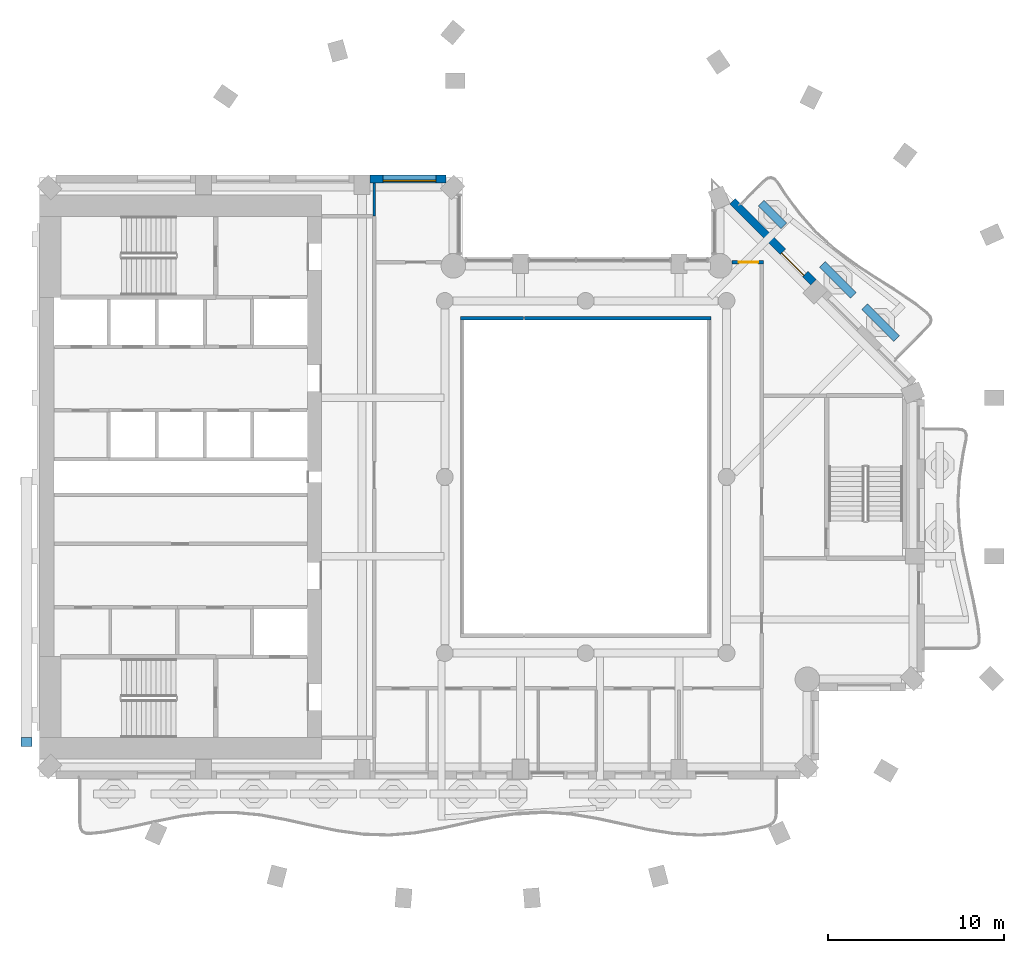
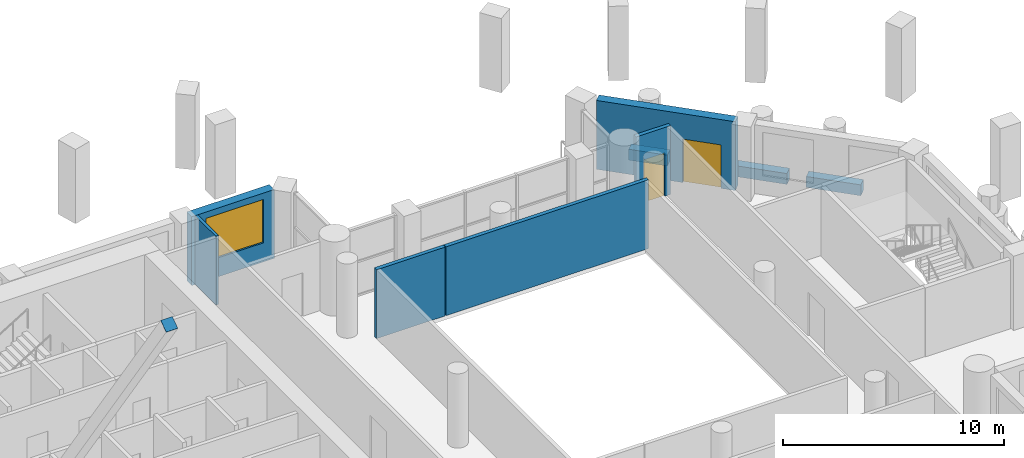
# One storey, part 7 of 16: 9 walls, 2 doors, 1 discrete accessory, 1 window, 3 openings.
"""IFC4 building model written with IfcOpenShell, lengths in metres."""

from ifc_helpers import new_model, si_unit, direction, frame, frame_2d, origin, origin_2d, place, context, subcontext, project, spatial, rectangle, extrude, material, layer, layer_set, material_profile, profile_set, type_object, element, fill, save


model = new_model("IFC4")

# Units and contexts
model_context = context("Model", 3, precision=1e-05, world=origin(), true_north=direction((0.0, 1.0)))
body_context = subcontext(model_context, "Body", "Model", "MODEL_VIEW")
ifc_project = project(units=[si_unit("LENGTHUNIT", "METRE"), si_unit("AREAUNIT", "SQUARE_METRE"), si_unit("VOLUMEUNIT", "CUBIC_METRE"), si_unit("PLANEANGLEUNIT", "RADIAN"), si_unit("MASSUNIT", "GRAM", prefix="KILO")], contexts=[model_context])

# Site, building, storey
site_placement = place(None, origin())
site = spatial("IfcSite", under=ifc_project, at=site_placement, CompositionType="ELEMENT")
building_placement = place(site_placement, origin())
building = spatial("IfcBuilding", under=site, at=building_placement, Name="Cypress Arch Tower", CompositionType="ELEMENT")
storey_placement = place(building_placement, frame((0.0, 0.0, 172.800048828125)))
storey = spatial("IfcBuildingStorey", under=building, at=storey_placement, Name="L37", CompositionType="ELEMENT", Elevation=172.800048828125)

# Walls
ifc_material_1 = material(Name="Concrete C40/50, waterproofed", Category="concrete")
ifc_layer_1 = layer(ifc_material_1, 0.449951171875)
ifc_layer_set_1 = layer_set([ifc_layer_1], Name="Balcony planter wall PW450")
wall_type_1 = type_object("IfcWallType", Name="Balcony planter wall PW450", PredefinedType="SOLIDWALL", material=ifc_layer_set_1)
wall_1_placement = place(storey_placement, frame((18.650390625, 7.86376953125, 0.0), z_axis=(0.0, 0.0, 1.0), x_axis=(-0.707059037574, 0.707154521576, 0.0)))
element("IfcWall", 1, at=wall_1_placement, inside=storey, type_object=wall_type_1, Name="Balcony planter wall L37-B05.1", PredefinedType="SOLIDWALL", context=body_context, shape_type="SweptSolid", body=[
    extrude(rectangle(XDim=2.556884765625, YDim=0.449951171875, at=frame_2d((1.2783203125, 0.0))), origin(), (0.0, 0.0, 1.0), 0.599853515625),
])
wall_2_placement = place(storey_placement, frame((16.2060546875, 10.30810546875, 0.0), z_axis=(0.0, 0.0, 1.0), x_axis=(-0.707057827829, 0.707155731156, 0.0)))
element("IfcWall", 2, at=wall_2_placement, inside=storey, type_object=wall_type_1, Name="Balcony planter wall L37-B05.2", PredefinedType="SOLIDWALL", context=body_context, shape_type="SweptSolid", body=[
    extrude(rectangle(XDim=2.49365234375, YDim=0.449951171875, at=frame_2d((1.246826171875, 0.0))), origin(), (0.0, 0.0, 1.0), 0.599853515625),
])
wall_3_placement = place(storey_placement, frame((12.250732421875, 14.263427734375, 0.0), z_axis=(0.0, 0.0, 1.0), x_axis=(-0.707039709166, 0.707173846846, 0.0)))
element("IfcWall", 3, at=wall_3_placement, inside=storey, type_object=wall_type_1, Name="Balcony planter wall L37-B05.3", PredefinedType="SOLIDWALL", context=body_context, shape_type="SweptSolid", body=[
    extrude(rectangle(XDim=1.820068359375, YDim=0.449951171875, at=frame_2d((0.91015625, 0.0))), origin(), (0.0, 0.0, 1.0), 0.599853515625),
])

# Wall, opening, door
ifc_material_2 = material(Name="Brick (red buff blend)", Category="masonry")
ifc_layer_2 = layer(ifc_material_2, 0.449951171875)
ifc_layer_set_2 = layer_set([ifc_layer_2], Name="Brick pier and spandrel wall BW450")
wall_type_2 = type_object("IfcWallType", Name="Brick pier and spandrel wall BW450", PredefinedType="SOLIDWALL", material=ifc_layer_set_2)
wall_4_placement = place(storey_placement, frame((13.94091796875, 11.052978515625, 0.0), z_axis=(0.0, 0.0, 1.0), x_axis=(-0.707106781187, 0.707106781187, 0.0)))
wall_4 = element("IfcWall", 4, at=wall_4_placement, inside=storey, type_object=wall_type_2, Name="Brick wall L37 B05.1", PredefinedType="SOLIDWALL", context=body_context, shape_type="SweptSolid", body=[
    extrude(rectangle(XDim=6.505126953125, YDim=0.449951171875, at=frame_2d((3.25244140625, 0.0))), origin(), (0.0, 0.0, 1.0), 3.800048828125),
])
opening_1_placement = place(wall_4_placement, frame((0.665283203125, 0.0, 0.0)))
opening_1 = element("IfcOpeningElement", 5, at=opening_1_placement, cuts=wall_4, Name="Opening D-L37-B05.1.1", PredefinedType="OPENING", context=body_context, shape_type="SweptSolid", body=[
    extrude(rectangle(XDim=1.800048828125, YDim=2.39990234375, at=frame_2d((0.89990234375, 1.199951171875))), frame((0.0, 0.23486328125, 0.0), z_axis=(0.0, -1.0, 0.0), x_axis=(1.0, 0.0, 0.0)), (0.0, 0.0, 1.0), 0.469970703125),
])
ifc_material_3 = material(Name="Anodised aluminium, bronze finish, laminated low-emissivity double glazing, large-missile impact rated", Category="aluminium")
door_type_1 = type_object("IfcDoorType", Name="Balcony sliding door 1800x2400", OperationType="SLIDING_TO_LEFT", PredefinedType="DOOR", material=ifc_material_3)
door_1_placement = place(opening_1_placement, origin())
door_1 = element("IfcDoor", 6, at=door_1_placement, inside=storey, type_object=door_type_1, Name="Balcony door L37 B05.1.1", OperationType="SLIDING_TO_LEFT", OverallHeight=2.39990234375, OverallWidth=1.800048828125, PredefinedType="DOOR", context=body_context, shape_type="SweptSolid", body=[
    extrude(rectangle(XDim=1.800048828125, YDim=2.39990234375, at=frame_2d((0.89990234375, 1.199951171875))), frame((0.0, 0.1298828125, 0.0), z_axis=(0.0, -1.0, 0.0), x_axis=(1.0, 0.0, 0.0)), (0.0, 0.0, 1.0), 0.050048828125),
])
fill(opening_1, door_1)

# Wall, opening, window
wall_5_placement = place(storey_placement, frame((-6.936279296875, 16.925048828125, 0.0), z_axis=(0.0, 0.0, 1.0), x_axis=(-1.0, 0.0, 0.0)))
wall_5 = element("IfcWall", 7, at=wall_5_placement, inside=storey, type_object=wall_type_2, Name="Brick wall L37 B09.0", PredefinedType="SOLIDWALL", context=body_context, shape_type="SweptSolid", body=[
    extrude(rectangle(XDim=4.313720703125, YDim=0.449951171875, at=frame_2d((2.15673828125, 0.0))), origin(), (0.0, 0.0, 1.0), 3.800048828125),
])
opening_2_placement = place(wall_5_placement, frame((0.563720703125, 0.0, 1.050048828125)))
opening_2 = element("IfcOpeningElement", 8, at=opening_2_placement, cuts=wall_5, Name="Opening W300O", PredefinedType="OPENING", context=body_context, shape_type="SweptSolid", body=[
    extrude(rectangle(XDim=3.0, YDim=2.39990234375, at=frame_2d((1.5, 1.199951171875))), frame((0.0, 0.23486328125, 0.0), z_axis=(0.0, -1.0, 0.0), x_axis=(1.0, 0.0, 0.0)), (0.0, 0.0, 1.0), 0.469970703125),
])
ifc_material_4 = material(Name="Anodised aluminium, bronze finish, clear low-emissivity double glazing", Category="aluminium")
window_type = type_object("IfcWindowType", Name="Window Office 3000x2400", PartitioningType="SINGLE_PANEL", PredefinedType="WINDOW", material=ifc_material_4)
window_placement = place(opening_2_placement, origin())
window = element("IfcWindow", 9, at=window_placement, inside=storey, type_object=window_type, Name="Window L37 B09.0.1", OverallHeight=2.39990234375, OverallWidth=3.0, PartitioningType="SINGLE_PANEL", PredefinedType="WINDOW", context=body_context, shape_type="SweptSolid", body=[
    extrude(rectangle(XDim=3.0, YDim=2.39990234375, at=frame_2d((1.5, 1.199951171875))), frame((0.0, 0.135009765625, 0.0), z_axis=(0.0, -1.0, 0.0), x_axis=(1.0, 0.0, 0.0)), (0.0, 0.0, 1.0), 0.06005859375),
])
fill(opening_2, window)

# Walls
ifc_material_5 = material(Name="Concrete blockwork, plastered, rated", Category="masonry")
ifc_layer_3 = layer(ifc_material_5, 0.199951171875)
ifc_layer_set_3 = layer_set([ifc_layer_3], Name="Corridor wall FW200")
wall_type_3 = type_object("IfcWallType", Name="Corridor wall FW200", PredefinedType="PARTITIONING", material=ifc_layer_set_3)
wall_6_placement = place(storey_placement, frame((-6.10009765625, 9.0, 0.0), z_axis=(0.0, 0.0, 1.0), x_axis=(1.0, 0.0, 0.0)))
element("IfcWall", 10, at=wall_6_placement, inside=storey, type_object=wall_type_3, Name="Corridor wall", PredefinedType="PARTITIONING", context=body_context, shape_type="SweptSolid", body=[
    extrude(rectangle(XDim=3.580078125, YDim=0.199951171875, at=frame_2d((1.7900390625, 0.0))), origin(), (0.0, 0.0, 1.0), 3.800048828125),
])
wall_7_placement = place(storey_placement, frame((-2.47998046875, 9.0, 0.0), z_axis=(0.0, 0.0, 1.0), x_axis=(1.0, 0.0, 0.0)))
element("IfcWall", 11, at=wall_7_placement, inside=storey, type_object=wall_type_3, Name="Corridor wall", PredefinedType="PARTITIONING", context=body_context, shape_type="SweptSolid", body=[
    extrude(rectangle(XDim=10.580078125, YDim=0.199951171875, at=frame_2d((5.2900390625, 0.0))), origin(), (0.0, 0.0, 1.0), 3.800048828125),
])

# Wall, opening, door
wall_8_placement = place(storey_placement, frame((9.295654296875, 12.199951171875, 0.0), z_axis=(0.0, 0.0, 1.0), x_axis=(1.0, 0.0, 0.0)))
wall_8 = element("IfcWall", 12, at=wall_8_placement, inside=storey, type_object=wall_type_3, Name="Corridor wall", PredefinedType="PARTITIONING", context=body_context, shape_type="SweptSolid", body=[
    extrude(rectangle(XDim=1.804443359375, YDim=0.199951171875, at=frame_2d((0.90234375, 0.0))), origin(), (0.0, 0.0, 1.0), 3.800048828125),
])
opening_3_placement = place(wall_8_placement, frame((0.39990234375, 0.0, 0.0)))
opening_3 = element("IfcOpeningElement", 13, at=opening_3_placement, cuts=wall_8, Name="Opening D01", PredefinedType="OPENING", context=body_context, shape_type="SweptSolid", body=[
    extrude(rectangle(XDim=1.10009765625, YDim=2.39990234375, at=frame_2d((0.550048828125, 1.199951171875))), frame((0.0, 0.10986328125, 0.0), z_axis=(0.0, -1.0, 0.0), x_axis=(1.0, 0.0, 0.0)), (0.0, 0.0, 1.0), 0.219970703125),
])
ifc_material_6 = material(Name="Timber flush door, fire resisting, self-closing", Category="wood")
door_type_2 = type_object("IfcDoorType", Name="Unit entrance door D01 1100x2400", OperationType="SINGLE_SWING_LEFT", PredefinedType="DOOR", material=ifc_material_6)
door_2_placement = place(opening_3_placement, origin())
door_2 = element("IfcDoor", 14, at=door_2_placement, inside=storey, type_object=door_type_2, Name="Unit entrance door", OperationType="SINGLE_SWING_LEFT", OverallHeight=2.39990234375, OverallWidth=1.10009765625, PredefinedType="DOOR", context=body_context, shape_type="SweptSolid", body=[
    extrude(rectangle(XDim=1.10009765625, YDim=2.39990234375, at=frame_2d((0.550048828125, 1.199951171875))), frame((0.0, 0.02490234375, 0.0), z_axis=(0.0, -1.0, 0.0), x_axis=(1.0, 0.0, 0.0)), (0.0, 0.0, 1.0), 0.050048828125),
])
fill(opening_3, door_2)

# Wall
ifc_material_7 = material(Name="Blockwork, plastered both sides", Category="masonry")
ifc_layer_4 = layer(ifc_material_7, 0.14990234375)
ifc_layer_set_4 = layer_set([ifc_layer_4], Name="Partition PW150")
wall_type_4 = type_object("IfcWallType", Name="Partition PW150", PredefinedType="PARTITIONING", material=ifc_layer_set_4)
wall_9_placement = place(storey_placement, frame((-11.0, 14.820068359375, 0.0), z_axis=(0.0, 0.0, 1.0), x_axis=(0.0, 1.0, 0.0)))
element("IfcWall", 15, at=wall_9_placement, inside=storey, type_object=wall_type_4, Name="Partition", PredefinedType="PARTITIONING", context=body_context, shape_type="SweptSolid", body=[
    extrude(rectangle(XDim=1.8798828125, YDim=0.14990234375, at=frame_2d((0.93994140625, 0.0))), origin(), (0.0, 0.0, 1.0), 3.800048828125),
])

# Discrete accessory
ifc_material_8 = material(Name="Steel ASTM A992", Category="steel")
ifc_material_profile = material_profile(ifc_material_8, rectangle(XDim=0.609619140625, YDim=0.609619140625, at=origin_2d()), Name="PL 20 610x610")
ifc_profile_set = profile_set([ifc_material_profile], Name="Steel ASTM A992")
discrete_accessory_type = type_object("IfcDiscreteAccessoryType", Name="End cap plate 610x610x20 Steel ASTM A992", PredefinedType="ANCHORPLATE", material=ifc_profile_set)
discrete_accessory_placement = place(storey_placement, frame((-30.7548828125, -15.044921875, 23.932861328125), z_axis=(0.0, -0.566006502692, 0.824400775661), x_axis=(1.0, 0.0, 0.0)))
element("IfcDiscreteAccessory", 16, at=discrete_accessory_placement, inside=storey, type_object=discrete_accessory_type, Name="End cap plate west bracing 3", PredefinedType="ANCHORPLATE", context=body_context, shape_type="SweptSolid", body=[
    extrude(rectangle(XDim=0.609619140625, YDim=0.609619140625, at=origin_2d()), origin(), (0.0, 0.0, 1.0), 0.019775390625),
])

save(model, "model.ifc")
